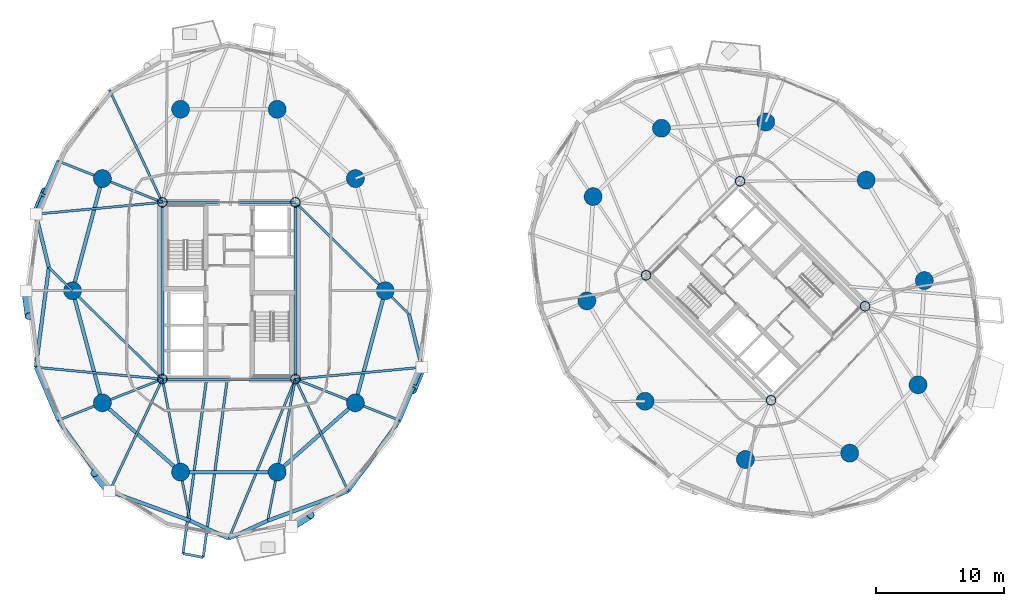
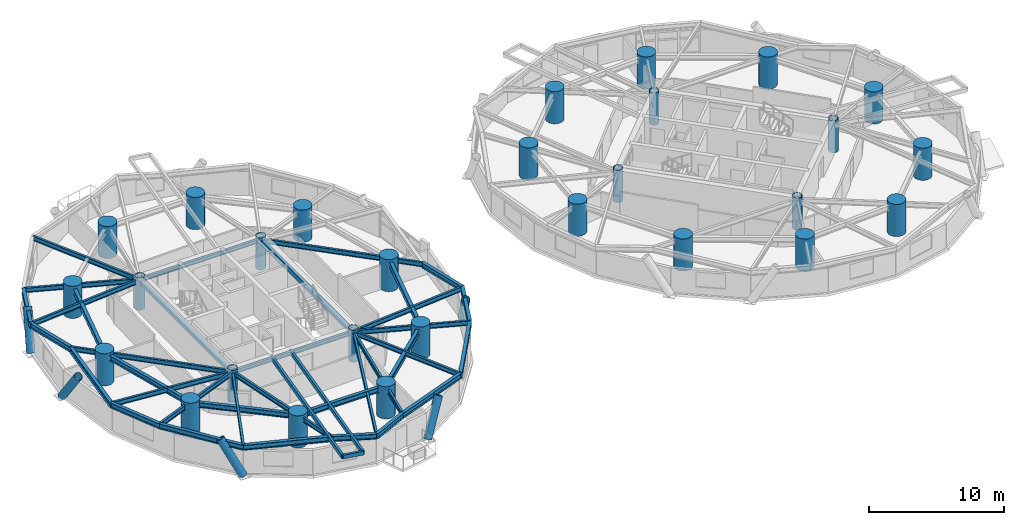
# One storey, part 1 of 18: 40 beams, 28 columns, 5 members.
"""IFC4 building model written with IfcOpenShell, lengths in metres."""

from ifc_helpers import new_model, si_unit, direction, frame, origin, origin_2d, place, context, subcontext, project, spatial, hollow_rectangle, circle, hollow_circle, i_section, extrude, material, material_profile, profile_set, type_object, element, save


model = new_model("IFC4")

# Units and contexts
model_context = context("Model", 3, precision=1e-05, world=origin(), true_north=direction((0.0, 1.0)))
body_context = subcontext(model_context, "Body", "Model", "MODEL_VIEW")
ifc_project = project(units=[si_unit("LENGTHUNIT", "METRE"), si_unit("AREAUNIT", "SQUARE_METRE"), si_unit("VOLUMEUNIT", "CUBIC_METRE"), si_unit("PLANEANGLEUNIT", "RADIAN"), si_unit("MASSUNIT", "GRAM", prefix="KILO")], contexts=[model_context])

# Site, building, storey
site_placement = place(None, origin())
site = spatial("IfcSite", under=ifc_project, at=site_placement, CompositionType="ELEMENT")
building_placement = place(site_placement, origin())
building = spatial("IfcBuilding", under=site, at=building_placement, Name="Cununo Teusaquillo Station Towers", CompositionType="ELEMENT")
storey_placement = place(building_placement, frame((0.0, 0.0, 75.969970703125)))
storey = spatial("IfcBuildingStorey", under=building, at=storey_placement, Name="L23", CompositionType="ELEMENT", Elevation=75.969970703125)

# Columns
ifc_material_1 = material(Name="Steel EN 10025-2 S355J2", Category="steel")
ifc_material_profile_1 = material_profile(ifc_material_1, hollow_circle(Radius=0.3798828125, WallThickness=0.031982421875, at=origin_2d()), Name="CHS 760x32")
ifc_profile_set_1 = profile_set([ifc_material_profile_1], Name="Steel EN 10025-2 S355J2")
column_type_1 = type_object("IfcColumnType", Name="COL-CORE-Z2", PredefinedType="COLUMN", material=ifc_profile_set_1)
for number, where, z_axis, x_axis, name in (
    (1, (11.324951171875, 17.6201171875, 0.0), (0.0, 0.0, 1.0), (1.0, 0.0, 0.0), "L23 Tower A Core Column 1"),
    (2, (11.324951171875, 31.3798828125, 0.0), (0.0, 0.0, 1.0), (1.0, 0.0, 0.0), "L23 Tower A Core Column 2"),
    (3, (21.675048828125, 17.6201171875, 0.0), (0.0, 0.0, 1.0), (1.0, 0.0, 0.0), "L23 Tower A Core Column 3"),
    (4, (21.675048828125, 31.3798828125, 0.0), (0.0, 0.0, 1.0), (1.0, 0.0, 0.0), "L23 Tower A Core Column 4"),
    (5, (58.70556640625, 15.975830078125, 0.0), (0.0, 0.0, 1.0), (0.707106781187, 0.707106781187, 0.0), "L23 Tower B Core Column 1"),
    (6, (48.975830078125, 25.70556640625, 0.0), (0.0, 0.0, 1.0), (0.707106781187, 0.707106781187, 0.0), "L23 Tower B Core Column 2"),
    (7, (66.024169921875, 23.29443359375, 0.0), (0.0, 0.0, 1.0), (0.707106781187, 0.707106781187, 0.0), "L23 Tower B Core Column 3"),
    (8, (56.29443359375, 33.024169921875, 0.0), (0.0, 0.0, 1.0), (0.707106781187, 0.707106781187, 0.0), "L23 Tower B Core Column 4"),
):
    element("IfcColumn", number, at=place(storey_placement, frame(where, z_axis=z_axis, x_axis=x_axis)), inside=storey, type_object=column_type_1, Name=name, PredefinedType="COLUMN", context=body_context, shape_type="SweptSolid", body=[
        extrude(hollow_circle(Radius=0.3798828125, WallThickness=0.031982421875, at=origin_2d()), origin(), (0.0, 0.0, 1.0), 2.909912109375),
    ])
ifc_material_2 = material(Name="Concrete C60/75", Category="concrete")
ifc_material_profile_2 = material_profile(ifc_material_2, circle(Radius=0.699951171875, at=origin_2d()), Name="RC-CIRC-1400")
ifc_profile_set_2 = profile_set([ifc_material_profile_2], Name="Concrete C60/75")
column_type_2 = type_object("IfcColumnType", Name="COL-MEGA-Z2", PredefinedType="USERDEFINED", material=ifc_profile_set_2)
for number, where, z_axis, x_axis, name in (
    (9, (28.672119140625, 24.5, 0.0), (0.0, 0.0, 1.0), (1.0, 0.0, 0.0), "L23 Tower A Perimeter Column V00"),
    (10, (26.347412109375, 33.228515625, 0.0), (0.0, 0.0, 1.0), (1.0, 0.0, 0.0), "L23 Tower A Perimeter Column V02"),
    (11, (20.261474609375, 38.623291015625, 0.0), (0.0, 0.0, 1.0), (1.0, 0.0, 0.0), "L23 Tower A Perimeter Column V04"),
    (12, (12.738525390625, 38.623291015625, 0.0), (0.0, 0.0, 1.0), (1.0, 0.0, 0.0), "L23 Tower A Perimeter Column V06"),
    (13, (6.652587890625, 33.228515625, 0.0), (0.0, 0.0, 1.0), (1.0, 0.0, 0.0), "L23 Tower A Perimeter Column V08"),
    (14, (4.327880859375, 24.5, 0.0), (0.0, 0.0, 1.0), (1.0, 0.0, 0.0), "L23 Tower A Perimeter Column V10"),
    (15, (6.652587890625, 15.771484375, 0.0), (0.0, 0.0, 1.0), (1.0, 0.0, 0.0), "L23 Tower A Perimeter Column V12"),
    (16, (12.738525390625, 10.376708984375, 0.0), (0.0, 0.0, 1.0), (1.0, 0.0, 0.0), "L23 Tower A Perimeter Column V14"),
    (17, (20.261474609375, 10.376708984375, 0.0), (0.0, 0.0, 1.0), (1.0, 0.0, 0.0), "L23 Tower A Perimeter Column V16"),
    (18, (26.347412109375, 15.771484375, 0.0), (0.0, 0.0, 1.0), (1.0, 0.0, 0.0), "L23 Tower A Perimeter Column V18"),
    (19, (66.10693359375, 33.10693359375, 0.0), (0.0, 0.0, 1.0), (1.0, 0.0, 0.0), "L23 Tower B Perimeter Column V00"),
    (20, (58.291015625, 37.63525390625, 0.0), (0.0, 0.0, 1.0), (1.0, 0.0, 0.0), "L23 Tower B Perimeter Column V02"),
    (21, (50.173095703125, 37.146240234375, 0.0), (0.0, 0.0, 1.0), (1.0, 0.0, 0.0), "L23 Tower B Perimeter Column V04"),
    (22, (44.853759765625, 31.826904296875, 0.0), (0.0, 0.0, 1.0), (1.0, 0.0, 0.0), "L23 Tower B Perimeter Column V06"),
    (23, (44.36474609375, 23.708984375, 0.0), (0.0, 0.0, 1.0), (1.0, 0.0, 0.0), "L23 Tower B Perimeter Column V08"),
    (24, (48.89306640625, 15.89306640625, 0.0), (0.0, 0.0, 1.0), (1.0, 0.0, 0.0), "L23 Tower B Perimeter Column V10"),
    (25, (56.708984375, 11.36474609375, 0.0), (0.0, 0.0, 1.0), (1.0, 0.0, 0.0), "L23 Tower B Perimeter Column V12"),
    (26, (64.826904296875, 11.853759765625, 0.0), (0.0, 0.0, 1.0), (1.0, 0.0, 0.0), "L23 Tower B Perimeter Column V14"),
    (27, (70.146240234375, 17.173095703125, 0.0), (0.0, 0.0, 1.0), (1.0, 0.0, 0.0), "L23 Tower B Perimeter Column V16"),
    (28, (70.63525390625, 25.291015625, 0.0), (0.0, 0.0, 1.0), (1.0, 0.0, 0.0), "L23 Tower B Perimeter Column V18"),
):
    element("IfcColumn", number, at=place(storey_placement, frame(where, z_axis=z_axis, x_axis=x_axis)), inside=storey, type_object=column_type_2, Name=name, ObjectType="MEGA COLUMN", PredefinedType="USERDEFINED", context=body_context, shape_type="SweptSolid", body=[
        extrude(circle(Radius=0.699951171875, at=origin_2d()), origin(), (0.0, 0.0, 1.0), 2.909912109375),
    ])

# Beams
ifc_material_3 = material(Name="Steel EN 10025-2 S355J2", Category="steel")
ifc_material_profile_3 = material_profile(ifc_material_3, hollow_rectangle(XDim=0.199951171875, YDim=0.35009765625, WallThickness=0.013916015625, at=origin_2d()), Name="RHS 350x200x14")
ifc_profile_set_3 = profile_set([ifc_material_profile_3], Name="Steel EN 10025-2 S355J2")
beam_type_1 = type_object("IfcBeamType", Name="BM-BAL-CANT", PredefinedType="BEAM", material=ifc_profile_set_3)
beam_1_placement = place(storey_placement, frame((14.793701171875, 17.85009765625, 2.4951171875), z_axis=(-0.133960678738, -0.990986648019, 0.0), x_axis=(0.990986648019, -0.133960678738, 0.0)))
element("IfcBeam", 29, at=beam_1_placement, inside=storey, type_object=beam_type_1, Name="L23 Tower A Balcony Cantilever Bracket 2A", PredefinedType="BEAM", context=body_context, shape_type="SweptSolid", body=[
    extrude(hollow_rectangle(XDim=0.199951171875, YDim=0.35009765625, WallThickness=0.013916015625, at=origin_2d()), origin(), (0.0, 0.0, 1.0), 13.9345703125),
])
beam_2_placement = place(storey_placement, frame((16.40869140625, 17.85009765625, 2.4951171875), z_axis=(-0.133936551357, -0.990989909237, 0.0), x_axis=(0.990989909237, -0.133936551357, 0.0)))
element("IfcBeam", 30, at=beam_2_placement, inside=storey, type_object=beam_type_1, Name="L23 Tower A Balcony Cantilever Bracket 2B", PredefinedType="BEAM", context=body_context, shape_type="SweptSolid", body=[
    extrude(hollow_rectangle(XDim=0.199951171875, YDim=0.35009765625, WallThickness=0.013916015625, at=origin_2d()), origin(), (0.0, 0.0, 1.0), 14.24169921875),
])
ifc_material_4 = material(Name="Steel EN 10025-2 S355J2", Category="steel")
ifc_material_profile_4 = material_profile(ifc_material_4, hollow_rectangle(XDim=0.25, YDim=0.449951171875, WallThickness=0.01611328125, at=origin_2d()), Name="RHS 450x250x16")
ifc_profile_set_4 = profile_set([ifc_material_profile_4], Name="Steel EN 10025-2 S355J2")
beam_type_2 = type_object("IfcBeamType", Name="BM-COUP-1", PredefinedType="USERDEFINED", material=ifc_profile_set_4)
for number, where, z_axis, x_axis, name in (
    (31, (11.324951171875, 17.6201171875, 2.445068359375), (0.0, 1.0, 0.0), (-1.0, 0.0, 0.0), "L23 Tower A Core Beam 1"),
    (32, (21.675048828125, 17.6201171875, 2.445068359375), (0.0, 1.0, 0.0), (-1.0, 0.0, 0.0), "L23 Tower A Core Beam 2"),
):
    element("IfcBeam", number, at=place(storey_placement, frame(where, z_axis=z_axis, x_axis=x_axis)), inside=storey, type_object=beam_type_2, Name=name, ObjectType="COUPLING BEAM", PredefinedType="USERDEFINED", context=body_context, shape_type="SweptSolid", body=[
        extrude(hollow_rectangle(XDim=0.25, YDim=0.449951171875, WallThickness=0.01611328125, at=origin_2d()), origin(), (0.0, 0.0, 1.0), 13.759765625),
    ])
ifc_material_5 = material(Name="Steel ASTM A572 Grade 50", Category="steel")
ifc_material_profile_5 = material_profile(ifc_material_5, i_section(OverallWidth=0.180908203125, OverallDepth=0.4169921875, WebThickness=0.010986328125, FlangeThickness=0.018310546875, FilletRadius=0.012939453125, at=origin_2d()), Name="W16X57")
ifc_profile_set_5 = profile_set([ifc_material_profile_5], Name="Steel ASTM A572 Grade 50")
beam_type_3 = type_object("IfcBeamType", Name="BM-JOIST-1", PredefinedType="JOIST", material=ifc_profile_set_5)
beam_3_placement = place(storey_placement, frame((11.324951171875, 31.3798828125, 2.46142578125), z_axis=(-0.426319838016, 0.904572493344, 0.0), x_axis=(-0.904572493344, -0.426319838016, 0.0)))
element("IfcBeam", 33, at=beam_3_placement, inside=storey, type_object=beam_type_3, Name="L23 Tower A Radial Spandrel Joist V07", PredefinedType="JOIST", context=body_context, shape_type="SweptSolid", body=[
    extrude(i_section(OverallWidth=0.180908203125, OverallDepth=0.4169921875, WebThickness=0.010986328125, FlangeThickness=0.018310546875, FilletRadius=0.012939453125, at=origin_2d()), origin(), (0.0, 0.0, 1.0), 9.646728515625),
])
for number, where, z_axis, x_axis, name in (
    (34, (11.324951171875, 31.3798828125, 2.46142578125), (-0.995678537907, -0.09286683558, 0.0), (0.09286683558, -0.995678537907, 0.0), "L23 Tower A Radial Spandrel Joist V09"),
    (35, (11.324951171875, 17.6201171875, 2.46142578125), (-0.995678537907, 0.09286683558, 0.0), (-0.09286683558, -0.995678537907, 0.0), "L23 Tower A Radial Spandrel Joist V11"),
):
    element("IfcBeam", number, at=place(storey_placement, frame(where, z_axis=z_axis, x_axis=x_axis)), inside=storey, type_object=beam_type_3, Name=name, PredefinedType="JOIST", context=body_context, shape_type="SweptSolid", body=[
        extrude(i_section(OverallWidth=0.180908203125, OverallDepth=0.4169921875, WebThickness=0.010986328125, FlangeThickness=0.018310546875, FilletRadius=0.012939453125, at=origin_2d()), origin(), (0.0, 0.0, 1.0), 9.895263671875),
    ])
beam_4_placement = place(storey_placement, frame((11.324951171875, 17.6201171875, 2.46142578125), z_axis=(-0.426319838016, -0.904572493344, 0.0), x_axis=(0.904572493344, -0.426319838016, 0.0)))
element("IfcBeam", 36, at=beam_4_placement, inside=storey, type_object=beam_type_3, Name="L23 Tower A Radial Spandrel Joist V13", PredefinedType="JOIST", context=body_context, shape_type="SweptSolid", body=[
    extrude(i_section(OverallWidth=0.180908203125, OverallDepth=0.4169921875, WebThickness=0.010986328125, FlangeThickness=0.018310546875, FilletRadius=0.012939453125, at=origin_2d()), origin(), (0.0, 0.0, 1.0), 9.646728515625),
])
beam_5_placement = place(storey_placement, frame((21.675048828125, 17.6201171875, 2.46142578125), z_axis=(-0.38487837995, -0.922967297713, 0.0), x_axis=(0.922967297713, -0.38487837995, 0.0)))
element("IfcBeam", 37, at=beam_5_placement, inside=storey, type_object=beam_type_3, Name="L23 Tower A Radial Spandrel Joist V15", PredefinedType="JOIST", context=body_context, shape_type="SweptSolid", body=[
    extrude(i_section(OverallWidth=0.180908203125, OverallDepth=0.4169921875, WebThickness=0.010986328125, FlangeThickness=0.018310546875, FilletRadius=0.012939453125, at=origin_2d()), origin(), (0.0, 0.0, 1.0), 13.446044921875),
])
beam_6_placement = place(storey_placement, frame((21.675048828125, 17.6201171875, 2.46142578125), z_axis=(0.426319838016, -0.904572493344, 0.0), x_axis=(0.904572493344, 0.426319838016, 0.0)))
element("IfcBeam", 38, at=beam_6_placement, inside=storey, type_object=beam_type_3, Name="L23 Tower A Radial Spandrel Joist V17", PredefinedType="JOIST", context=body_context, shape_type="SweptSolid", body=[
    extrude(i_section(OverallWidth=0.180908203125, OverallDepth=0.4169921875, WebThickness=0.010986328125, FlangeThickness=0.018310546875, FilletRadius=0.012939453125, at=origin_2d()), origin(), (0.0, 0.0, 1.0), 9.646728515625),
])
beam_7_placement = place(storey_placement, frame((21.675048828125, 17.6201171875, 2.46142578125), z_axis=(0.995678537907, 0.09286683558, 0.0), x_axis=(-0.09286683558, 0.995678537907, 0.0)))
element("IfcBeam", 39, at=beam_7_placement, inside=storey, type_object=beam_type_3, Name="L23 Tower A Radial Spandrel Joist V19", PredefinedType="JOIST", context=body_context, shape_type="SweptSolid", body=[
    extrude(i_section(OverallWidth=0.180908203125, OverallDepth=0.4169921875, WebThickness=0.010986328125, FlangeThickness=0.018310546875, FilletRadius=0.012939453125, at=origin_2d()), origin(), (0.0, 0.0, 1.0), 9.895263671875),
])
ifc_material_6 = material(Name="Steel ASTM A572 Grade 50", Category="steel")
ifc_material_profile_6 = material_profile(ifc_material_6, i_section(OverallWidth=0.2041015625, OverallDepth=0.35009765625, WebThickness=0.008544921875, FlangeThickness=0.01513671875, FilletRadius=0.011962890625, at=origin_2d()), Name="W14X48")
ifc_profile_set_6 = profile_set([ifc_material_profile_6], Name="Steel ASTM A572 Grade 50")
beam_type_4 = type_object("IfcBeamType", Name="BM-LINTEL-1", PredefinedType="LINTEL", material=ifc_profile_set_6)
for number, where, z_axis, x_axis, name in (
    (40, (11.324951171875, 17.6201171875, 2.4951171875), (1.0, 0.0, 0.0), (0.0, 1.0, 0.0), "L23 Tower A Core Beam 3"),
    (41, (11.324951171875, 31.3798828125, 2.4951171875), (1.0, 0.0, 0.0), (0.0, 1.0, 0.0), "L23 Tower A Core Beam 4"),
):
    element("IfcBeam", number, at=place(storey_placement, frame(where, z_axis=z_axis, x_axis=x_axis)), inside=storey, type_object=beam_type_4, Name=name, PredefinedType="LINTEL", context=body_context, shape_type="SweptSolid", body=[
        extrude(i_section(OverallWidth=0.2041015625, OverallDepth=0.35009765625, WebThickness=0.008544921875, FlangeThickness=0.01513671875, FilletRadius=0.011962890625, at=origin_2d()), origin(), (0.0, 0.0, 1.0), 10.35009765625),
    ])
ifc_material_7 = material(Name="Steel ASTM A572 Grade 50", Category="steel")
ifc_material_profile_7 = material_profile(ifc_material_7, i_section(OverallWidth=0.180908203125, OverallDepth=0.4169921875, WebThickness=0.010986328125, FlangeThickness=0.018310546875, FilletRadius=0.012939453125, at=origin_2d()), Name="W16X57")
ifc_profile_set_7 = profile_set([ifc_material_profile_7], Name="Steel ASTM A572 Grade 50")
beam_type_5 = type_object("IfcBeamType", Name="BM-RAD-G2", PredefinedType="BEAM", material=ifc_profile_set_7)
beam_8_placement = place(storey_placement, frame((21.675048828125, 31.3798828125, 2.46142578125), z_axis=(0.713047137857, -0.701116095375, 0.0), x_axis=(0.701116095375, 0.713047137857, 0.0)))
element("IfcBeam", 42, at=beam_8_placement, inside=storey, type_object=beam_type_5, Name="L23 Tower A Continuous Overhanging Radial Girder 01", PredefinedType="BEAM", context=body_context, shape_type="SweptSolid", body=[
    extrude(i_section(OverallWidth=0.180908203125, OverallDepth=0.4169921875, WebThickness=0.010986328125, FlangeThickness=0.018310546875, FilletRadius=0.012939453125, at=origin_2d()), origin(), (0.0, 0.0, 1.0), 12.400390625),
])
beam_9_placement = place(storey_placement, frame((11.324951171875, 31.3798828125, 2.46142578125), z_axis=(-0.929863123823, 0.367905654963, 0.0), x_axis=(-0.367905654963, -0.929863123823, 0.0)))
element("IfcBeam", 43, at=beam_9_placement, inside=storey, type_object=beam_type_5, Name="L23 Tower A Continuous Overhanging Radial Girder 05", PredefinedType="BEAM", context=body_context, shape_type="SweptSolid", body=[
    extrude(i_section(OverallWidth=0.180908203125, OverallDepth=0.4169921875, WebThickness=0.010986328125, FlangeThickness=0.018310546875, FilletRadius=0.012939453125, at=origin_2d()), origin(), (0.0, 0.0, 1.0), 8.715087890625),
])
beam_10_placement = place(storey_placement, frame((11.324951171875, 17.6201171875, 2.46142578125), z_axis=(-0.713052701438, 0.701110437073, 0.0), x_axis=(-0.701110437073, -0.713052701438, 0.0)))
element("IfcBeam", 44, at=beam_10_placement, inside=storey, type_object=beam_type_5, Name="L23 Tower A Radial Girder 06A", PredefinedType="BEAM", context=body_context, shape_type="SweptSolid", body=[
    extrude(i_section(OverallWidth=0.180908203125, OverallDepth=0.4169921875, WebThickness=0.010986328125, FlangeThickness=0.018310546875, FilletRadius=0.012939453125, at=origin_2d()), origin(), (0.0, 0.0, 1.0), 9.812744140625),
])
beam_11_placement = place(storey_placement, frame((4.327880859375, 24.5, 2.46142578125), z_axis=(-0.7130260383, 0.701137553342, 0.0), x_axis=(-0.701137553342, -0.7130260383, 0.0)))
element("IfcBeam", 45, at=beam_11_placement, inside=storey, type_object=beam_type_5, Name="L23 Tower A Perimeter Overhang Girder 06B", PredefinedType="BEAM", context=body_context, shape_type="SweptSolid", body=[
    extrude(i_section(OverallWidth=0.180908203125, OverallDepth=0.4169921875, WebThickness=0.010986328125, FlangeThickness=0.018310546875, FilletRadius=0.012939453125, at=origin_2d()), origin(), (0.0, 0.0, 1.0), 2.58740234375),
])
beam_12_placement = place(storey_placement, frame((11.324951171875, 17.6201171875, 2.46142578125), z_axis=(-0.929863123823, -0.367905654963, 0.0), x_axis=(0.367905654963, -0.929863123823, 0.0)))
element("IfcBeam", 46, at=beam_12_placement, inside=storey, type_object=beam_type_5, Name="L23 Tower A Continuous Overhanging Radial Girder 07", PredefinedType="BEAM", context=body_context, shape_type="SweptSolid", body=[
    extrude(i_section(OverallWidth=0.180908203125, OverallDepth=0.4169921875, WebThickness=0.010986328125, FlangeThickness=0.018310546875, FilletRadius=0.012939453125, at=origin_2d()), origin(), (0.0, 0.0, 1.0), 8.715087890625),
])
for number, where, z_axis, x_axis, name in (
    (47, (11.324951171875, 17.6201171875, 2.46142578125), (0.191552755713, -0.981482318628, 0.0), (0.981482318628, 0.191552755713, 0.0), "L23 Tower A Continuous Overhanging Radial Girder 08"),
    (48, (21.675048828125, 17.6201171875, 2.46142578125), (-0.191552755713, -0.981482318628, 0.0), (0.981482318628, -0.191552755713, 0.0), "L23 Tower A Continuous Overhanging Radial Girder 09"),
):
    element("IfcBeam", number, at=place(storey_placement, frame(where, z_axis=z_axis, x_axis=x_axis)), inside=storey, type_object=beam_type_5, Name=name, PredefinedType="BEAM", context=body_context, shape_type="SweptSolid", body=[
        extrude(i_section(OverallWidth=0.180908203125, OverallDepth=0.4169921875, WebThickness=0.010986328125, FlangeThickness=0.018310546875, FilletRadius=0.012939453125, at=origin_2d()), origin(), (0.0, 0.0, 1.0), 11.22998046875),
    ])
beam_13_placement = place(storey_placement, frame((21.675048828125, 17.6201171875, 2.46142578125), z_axis=(0.929863123823, -0.367905654963, 0.0), x_axis=(0.367905654963, 0.929863123823, 0.0)))
element("IfcBeam", 49, at=beam_13_placement, inside=storey, type_object=beam_type_5, Name="L23 Tower A Continuous Overhanging Radial Girder 10", PredefinedType="BEAM", context=body_context, shape_type="SweptSolid", body=[
    extrude(i_section(OverallWidth=0.180908203125, OverallDepth=0.4169921875, WebThickness=0.010986328125, FlangeThickness=0.018310546875, FilletRadius=0.012939453125, at=origin_2d()), origin(), (0.0, 0.0, 1.0), 8.715087890625),
])
ifc_material_8 = material(Name="Steel ASTM A572 Grade 50", Category="steel")
ifc_material_profile_8 = material_profile(ifc_material_8, i_section(OverallWidth=0.280029296875, OverallDepth=0.462890625, WebThickness=0.0107421875, FlangeThickness=0.017333984375, FilletRadius=0.013916015625, at=origin_2d()), Name="W18X76")
ifc_profile_set_8 = profile_set([ifc_material_profile_8], Name="Steel ASTM A572 Grade 50")
beam_type_6 = type_object("IfcBeamType", Name="BM-RING-Z2", PredefinedType="SPANDREL", material=ifc_profile_set_8)
for number, where, z_axis, x_axis, name in (
    (50, (6.652587890625, 33.228515625, 2.4384765625), (-0.257363196347, -0.966314744359, 0.0), (0.966314744359, -0.257363196347, 0.0), "L23 Tower A Structural Column Ring Girder 05"),
    (51, (4.327880859375, 24.5, 2.4384765625), (0.257363196347, -0.966314744359, 0.0), (0.966314744359, 0.257363196347, 0.0), "L23 Tower A Structural Column Ring Girder 06"),
):
    element("IfcBeam", number, at=place(storey_placement, frame(where, z_axis=z_axis, x_axis=x_axis)), inside=storey, type_object=beam_type_6, Name=name, PredefinedType="SPANDREL", context=body_context, shape_type="SweptSolid", body=[
        extrude(i_section(OverallWidth=0.280029296875, OverallDepth=0.462890625, WebThickness=0.0107421875, FlangeThickness=0.017333984375, FilletRadius=0.013916015625, at=origin_2d()), origin(), (0.0, 0.0, 1.0), 9.03271484375),
    ])
beam_14_placement = place(storey_placement, frame((6.652587890625, 15.771484375, 2.4384765625), z_axis=(0.74832120039, -0.66333655187, 0.0), x_axis=(0.66333655187, 0.74832120039, 0.0)))
element("IfcBeam", 52, at=beam_14_placement, inside=storey, type_object=beam_type_6, Name="L23 Tower A Structural Column Ring Girder 07", PredefinedType="SPANDREL", context=body_context, shape_type="SweptSolid", body=[
    extrude(i_section(OverallWidth=0.280029296875, OverallDepth=0.462890625, WebThickness=0.0107421875, FlangeThickness=0.017333984375, FilletRadius=0.013916015625, at=origin_2d()), origin(), (0.0, 0.0, 1.0), 8.1328125),
])
beam_15_placement = place(storey_placement, frame((12.738525390625, 10.376708984375, 2.4384765625), z_axis=(1.0, 0.0, 0.0), x_axis=(0.0, 1.0, 0.0)))
element("IfcBeam", 53, at=beam_15_placement, inside=storey, type_object=beam_type_6, Name="L23 Tower A Structural Column Ring Girder 08", PredefinedType="SPANDREL", context=body_context, shape_type="SweptSolid", body=[
    extrude(i_section(OverallWidth=0.280029296875, OverallDepth=0.462890625, WebThickness=0.0107421875, FlangeThickness=0.017333984375, FilletRadius=0.013916015625, at=origin_2d()), origin(), (0.0, 0.0, 1.0), 7.52294921875),
])
beam_16_placement = place(storey_placement, frame((20.261474609375, 10.376708984375, 2.4384765625), z_axis=(0.74832120039, 0.66333655187, 0.0), x_axis=(-0.66333655187, 0.74832120039, 0.0)))
element("IfcBeam", 54, at=beam_16_placement, inside=storey, type_object=beam_type_6, Name="L23 Tower A Structural Column Ring Girder 09", PredefinedType="SPANDREL", context=body_context, shape_type="SweptSolid", body=[
    extrude(i_section(OverallWidth=0.280029296875, OverallDepth=0.462890625, WebThickness=0.0107421875, FlangeThickness=0.017333984375, FilletRadius=0.013916015625, at=origin_2d()), origin(), (0.0, 0.0, 1.0), 8.1328125),
])
beam_17_placement = place(storey_placement, frame((26.347412109375, 15.771484375, 2.4384765625), z_axis=(0.257363196347, 0.966314744359, 0.0), x_axis=(-0.966314744359, 0.257363196347, 0.0)))
element("IfcBeam", 55, at=beam_17_placement, inside=storey, type_object=beam_type_6, Name="L23 Tower A Structural Column Ring Girder 10", PredefinedType="SPANDREL", context=body_context, shape_type="SweptSolid", body=[
    extrude(i_section(OverallWidth=0.280029296875, OverallDepth=0.462890625, WebThickness=0.0107421875, FlangeThickness=0.017333984375, FilletRadius=0.013916015625, at=origin_2d()), origin(), (0.0, 0.0, 1.0), 9.03271484375),
])
beam_18_placement = place(storey_placement, frame((3.22119140625, 34.586181640625, 2.4384765625), z_axis=(-0.390299356049, -0.920688010494, 0.0), x_axis=(0.920688010494, -0.390299356049, 0.0)))
element("IfcBeam", 56, at=beam_18_placement, inside=storey, type_object=beam_type_6, Name="L23 Tower A Spandrel Ring Beam 09", PredefinedType="SPANDREL", context=body_context, shape_type="SweptSolid", body=[
    extrude(i_section(OverallWidth=0.280029296875, OverallDepth=0.462890625, WebThickness=0.0107421875, FlangeThickness=0.017333984375, FilletRadius=0.013916015625, at=origin_2d()), origin(), (0.0, 0.0, 1.0), 4.480712890625),
])
beam_19_placement = place(storey_placement, frame((1.472412109375, 30.4609375, 2.4384765625), z_axis=(0.236757334703, -0.971568816124, 0.0), x_axis=(0.971568816124, 0.236757334703, 0.0)))
element("IfcBeam", 57, at=beam_19_placement, inside=storey, type_object=beam_type_6, Name="L23 Tower A Spandrel Ring Beam 10", PredefinedType="SPANDREL", context=body_context, shape_type="SweptSolid", body=[
    extrude(i_section(OverallWidth=0.280029296875, OverallDepth=0.462890625, WebThickness=0.0107421875, FlangeThickness=0.017333984375, FilletRadius=0.013916015625, at=origin_2d()), origin(), (0.0, 0.0, 1.0), 4.26806640625),
])
beam_20_placement = place(storey_placement, frame((2.48291015625, 26.314208984375, 2.4384765625), z_axis=(-0.12888124113, -0.991660035337, 0.0), x_axis=(0.991660035337, -0.12888124113, 0.0)))
element("IfcBeam", 58, at=beam_20_placement, inside=storey, type_object=beam_type_6, Name="L23 Tower A Spandrel Ring Beam 11", PredefinedType="SPANDREL", context=body_context, shape_type="SweptSolid", body=[
    extrude(i_section(OverallWidth=0.280029296875, OverallDepth=0.462890625, WebThickness=0.0107421875, FlangeThickness=0.017333984375, FilletRadius=0.013916015625, at=origin_2d()), origin(), (0.0, 0.0, 1.0), 7.840576171875),
])
beam_21_placement = place(storey_placement, frame((1.472412109375, 18.5390625, 2.4384765625), z_axis=(0.390299356049, -0.920688010494, 0.0), x_axis=(0.920688010494, 0.390299356049, 0.0)))
element("IfcBeam", 59, at=beam_21_placement, inside=storey, type_object=beam_type_6, Name="L23 Tower A Spandrel Ring Beam 12", PredefinedType="SPANDREL", context=body_context, shape_type="SweptSolid", body=[
    extrude(i_section(OverallWidth=0.280029296875, OverallDepth=0.462890625, WebThickness=0.0107421875, FlangeThickness=0.017333984375, FilletRadius=0.013916015625, at=origin_2d()), origin(), (0.0, 0.0, 1.0), 4.480712890625),
])
beam_22_placement = place(storey_placement, frame((3.22119140625, 14.413818359375, 2.4384765625), z_axis=(0.58594455724, -0.810351143543, 0.0), x_axis=(0.810351143543, 0.58594455724, 0.0)))
element("IfcBeam", 60, at=beam_22_placement, inside=storey, type_object=beam_type_6, Name="L23 Tower A Spandrel Ring Beam 13", PredefinedType="SPANDREL", context=body_context, shape_type="SweptSolid", body=[
    extrude(i_section(OverallWidth=0.280029296875, OverallDepth=0.462890625, WebThickness=0.0107421875, FlangeThickness=0.017333984375, FilletRadius=0.013916015625, at=origin_2d()), origin(), (0.0, 0.0, 1.0), 6.8115234375),
])
beam_23_placement = place(storey_placement, frame((7.21240234375, 8.89404296875, 2.4384765625), z_axis=(0.938914161016, -0.34415141761, 0.0), x_axis=(0.34415141761, 0.938914161016, 0.0)))
element("IfcBeam", 61, at=beam_23_placement, inside=storey, type_object=beam_type_6, Name="L23 Tower A Spandrel Ring Beam 14", PredefinedType="SPANDREL", context=body_context, shape_type="SweptSolid", body=[
    extrude(i_section(OverallWidth=0.280029296875, OverallDepth=0.462890625, WebThickness=0.0107421875, FlangeThickness=0.017333984375, FilletRadius=0.013916015625, at=origin_2d()), origin(), (0.0, 0.0, 1.0), 6.671142578125),
])
for number, where, z_axis, x_axis, name in (
    (62, (13.47607421875, 6.59814453125, 2.4384765625), (0.908812215281, -0.417205413862, 0.0), (0.417205413862, 0.908812215281, 0.0), "L23 Tower A Spandrel Ring Beam 15"),
    (63, (16.5, 5.2099609375, 2.4384765625), (0.908812215281, 0.417205413862, 0.0), (-0.417205413862, 0.908812215281, 0.0), "L23 Tower A Spandrel Ring Beam 16"),
):
    element("IfcBeam", number, at=place(storey_placement, frame(where, z_axis=z_axis, x_axis=x_axis)), inside=storey, type_object=beam_type_6, Name=name, PredefinedType="SPANDREL", context=body_context, shape_type="SweptSolid", body=[
        extrude(i_section(OverallWidth=0.280029296875, OverallDepth=0.462890625, WebThickness=0.0107421875, FlangeThickness=0.017333984375, FilletRadius=0.013916015625, at=origin_2d()), origin(), (0.0, 0.0, 1.0), 3.327392578125),
    ])
beam_24_placement = place(storey_placement, frame((19.52392578125, 6.59814453125, 2.4384765625), z_axis=(0.938914161016, 0.34415141761, 0.0), x_axis=(-0.34415141761, 0.938914161016, 0.0)))
element("IfcBeam", 64, at=beam_24_placement, inside=storey, type_object=beam_type_6, Name="L23 Tower A Spandrel Ring Beam 17", PredefinedType="SPANDREL", context=body_context, shape_type="SweptSolid", body=[
    extrude(i_section(OverallWidth=0.280029296875, OverallDepth=0.462890625, WebThickness=0.0107421875, FlangeThickness=0.017333984375, FilletRadius=0.013916015625, at=origin_2d()), origin(), (0.0, 0.0, 1.0), 6.671142578125),
])
beam_25_placement = place(storey_placement, frame((25.78759765625, 8.89404296875, 2.4384765625), z_axis=(0.58594455724, 0.810351143543, 0.0), x_axis=(-0.810351143543, 0.58594455724, 0.0)))
element("IfcBeam", 65, at=beam_25_placement, inside=storey, type_object=beam_type_6, Name="L23 Tower A Spandrel Ring Beam 18", PredefinedType="SPANDREL", context=body_context, shape_type="SweptSolid", body=[
    extrude(i_section(OverallWidth=0.280029296875, OverallDepth=0.462890625, WebThickness=0.0107421875, FlangeThickness=0.017333984375, FilletRadius=0.013916015625, at=origin_2d()), origin(), (0.0, 0.0, 1.0), 6.8115234375),
])
beam_26_placement = place(storey_placement, frame((29.77880859375, 14.413818359375, 2.4384765625), z_axis=(0.390299356049, 0.920688010494, 0.0), x_axis=(-0.920688010494, 0.390299356049, 0.0)))
element("IfcBeam", 66, at=beam_26_placement, inside=storey, type_object=beam_type_6, Name="L23 Tower A Spandrel Ring Beam 19", PredefinedType="SPANDREL", context=body_context, shape_type="SweptSolid", body=[
    extrude(i_section(OverallWidth=0.280029296875, OverallDepth=0.462890625, WebThickness=0.0107421875, FlangeThickness=0.017333984375, FilletRadius=0.013916015625, at=origin_2d()), origin(), (0.0, 0.0, 1.0), 4.480712890625),
])
beam_27_placement = place(storey_placement, frame((31.527587890625, 18.5390625, 2.4384765625), z_axis=(-0.236757334703, 0.971568816124, 0.0), x_axis=(-0.971568816124, -0.236757334703, 0.0)))
element("IfcBeam", 67, at=beam_27_placement, inside=storey, type_object=beam_type_6, Name="L23 Tower A Spandrel Ring Beam 20", PredefinedType="SPANDREL", context=body_context, shape_type="SweptSolid", body=[
    extrude(i_section(OverallWidth=0.280029296875, OverallDepth=0.462890625, WebThickness=0.0107421875, FlangeThickness=0.017333984375, FilletRadius=0.013916015625, at=origin_2d()), origin(), (0.0, 0.0, 1.0), 4.26806640625),
])
ifc_material_9 = material(Name="Steel EN 10025-2 S355J2", Category="steel")
ifc_material_profile_9 = material_profile(ifc_material_9, hollow_rectangle(XDim=0.199951171875, YDim=0.35009765625, WallThickness=0.013916015625, at=origin_2d()), Name="RHS 350x200x14")
ifc_profile_set_9 = profile_set([ifc_material_profile_9], Name="Steel EN 10025-2 S355J2")
beam_type_7 = type_object("IfcBeamType", Name="BM-STAIR-TRIM", PredefinedType="BEAM", material=ifc_profile_set_9)
beam_28_placement = place(storey_placement, frame((12.927001953125, 4.041015625, 2.525146484375), z_axis=(0.981836621572, -0.189728354603, 0.0), x_axis=(0.189728354603, 0.981836621572, 0.0)))
element("IfcBeam", 68, at=beam_28_placement, inside=storey, type_object=beam_type_7, Name="L23 Tower A Balcony Edge Trimmer Beam 2", PredefinedType="BEAM", context=body_context, shape_type="SweptSolid", body=[
    extrude(hollow_rectangle(XDim=0.199951171875, YDim=0.35009765625, WallThickness=0.013916015625, at=origin_2d()), origin(), (0.0, 0.0, 1.0), 1.603271484375),
])

# Members
ifc_material_10 = material(Name="Steel EN 10025-2 S355J2", Category="steel")
ifc_material_profile_10 = material_profile(ifc_material_10, hollow_circle(Radius=0.330078125, WallThickness=0.02490234375, at=origin_2d()), Name="CHS 660x25")
ifc_profile_set_10 = profile_set([ifc_material_profile_10], Name="Steel EN 10025-2 S355J2")
member_type = type_object("IfcMemberType", Name="MBR-DIAG-Z2", PredefinedType="BRACE", material=ifc_profile_set_10)
member_1_placement = place(storey_placement, frame((1.472412109375, 30.4609375, -0.139892578125), z_axis=(0.213813667787, 0.512343325357, 0.831737958993), x_axis=(-0.922861086318, 0.385132983993, 0.0)))
element("IfcMember", 69, at=member_1_placement, inside=storey, type_object=member_type, Name="L23 Tower A Folded-Zigzag Diagrid Tube C08", PredefinedType="BRACE", context=body_context, shape_type="SweptSolid", body=[
    extrude(hollow_circle(Radius=0.330078125, WallThickness=0.02490234375, at=origin_2d()), origin(), (0.0, 0.0, 1.0), 3.49853515625),
])
member_2_placement = place(storey_placement, frame((0.698974609375, 24.5, -0.139892578125), z_axis=(0.072971585914, -0.562420206205, 0.823625314874), x_axis=(0.991687829619, 0.128667200894, 0.0)))
element("IfcMember", 70, at=member_2_placement, inside=storey, type_object=member_type, Name="L23 Tower A Folded-Zigzag Diagrid Tube C10", PredefinedType="BRACE", context=body_context, shape_type="SweptSolid", body=[
    extrude(hollow_circle(Radius=0.330078125, WallThickness=0.02490234375, at=origin_2d()), origin(), (0.0, 0.0, 1.0), 3.532958984375),
])
member_3_placement = place(storey_placement, frame((7.21240234375, 8.89404296875, -0.139892578125), z_axis=(-0.338520838688, 0.413274864244, 0.845344621062), x_axis=(-0.773602270202, -0.633671466565, 0.0)))
element("IfcMember", 71, at=member_3_placement, inside=storey, type_object=member_type, Name="L23 Tower A Folded-Zigzag Diagrid Tube C12", PredefinedType="BRACE", context=body_context, shape_type="SweptSolid", body=[
    extrude(hollow_circle(Radius=0.330078125, WallThickness=0.02490234375, at=origin_2d()), origin(), (0.0, 0.0, 1.0), 3.4423828125),
])
member_4_placement = place(storey_placement, frame((21.3828125, 6.154052734375, -0.139892578125), z_axis=(0.433768032271, 0.269824776975, 0.859674289432), x_axis=(-0.528195574716, 0.849122744278, 0.0)))
element("IfcMember", 72, at=member_4_placement, inside=storey, type_object=member_type, Name="L23 Tower A Folded-Zigzag Diagrid Tube C16", PredefinedType="BRACE", context=body_context, shape_type="SweptSolid", body=[
    extrude(hollow_circle(Radius=0.330078125, WallThickness=0.02490234375, at=origin_2d()), origin(), (0.0, 0.0, 1.0), 3.385009765625),
])
member_5_placement = place(storey_placement, frame((31.527587890625, 18.5390625, -0.139892578125), z_axis=(-0.213813667787, -0.512343325357, 0.831737958993), x_axis=(0.922861086318, -0.385132983993, 0.0)))
element("IfcMember", 73, at=member_5_placement, inside=storey, type_object=member_type, Name="L23 Tower A Folded-Zigzag Diagrid Tube C18", PredefinedType="BRACE", context=body_context, shape_type="SweptSolid", body=[
    extrude(hollow_circle(Radius=0.330078125, WallThickness=0.02490234375, at=origin_2d()), origin(), (0.0, 0.0, 1.0), 3.49853515625),
])

save(model, "model.ifc")
